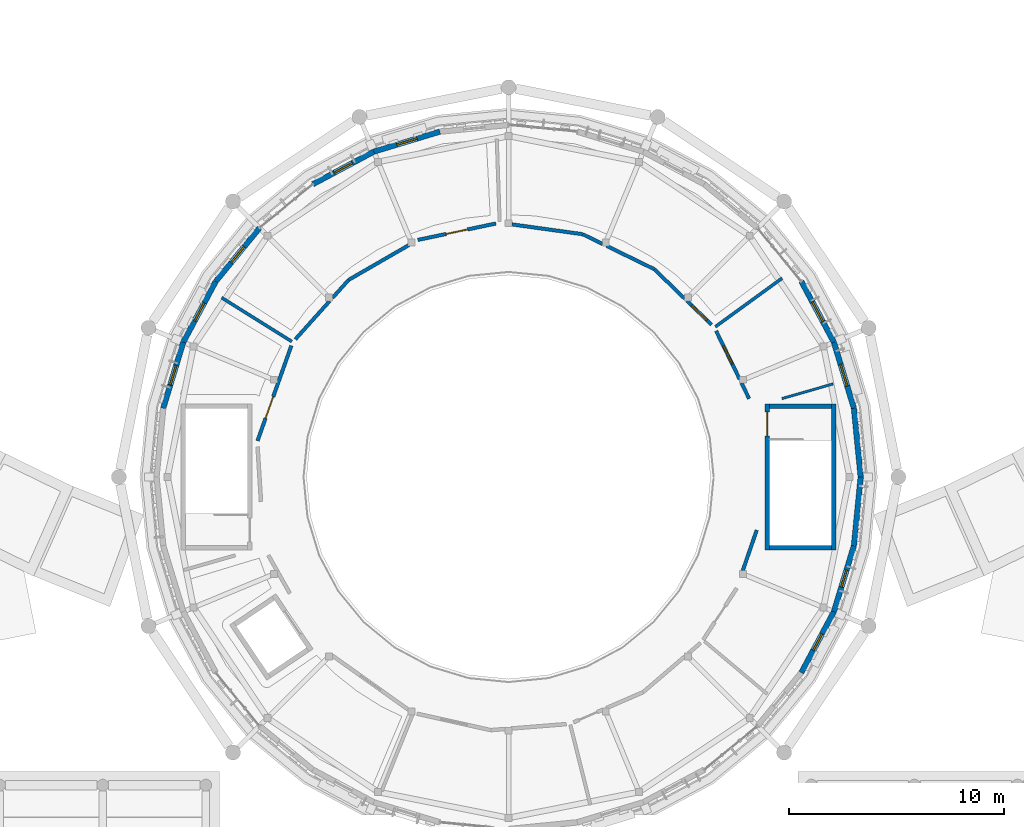
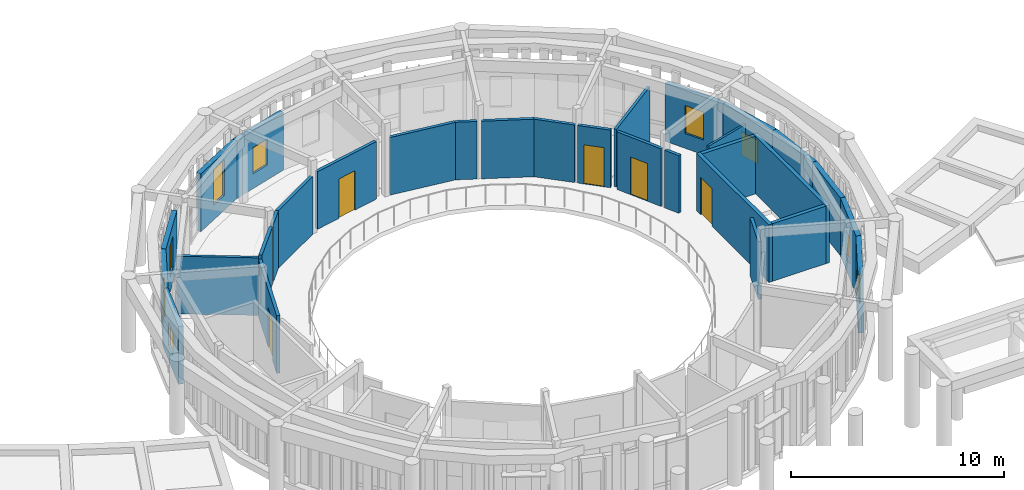
# One storey, part 48 of 80: 31 walls, 9 windows, 5 doors, 14 openings.
"""IFC4 building model written with IfcOpenShell, lengths in metres."""

from ifc_helpers import new_model, si_unit, direction, frame, frame_2d, origin, place, context, subcontext, project, spatial, rectangle, extrude, material, layer, layer_set, type_object, element, fill, save


model = new_model("IFC4")

# Units and contexts
model_context = context("Model", 3, precision=1e-05, world=origin(), true_north=direction((0.0, 1.0)))
body_context = subcontext(model_context, "Body", "Model", "MODEL_VIEW")
ifc_project = project(units=[si_unit("LENGTHUNIT", "METRE"), si_unit("AREAUNIT", "SQUARE_METRE"), si_unit("VOLUMEUNIT", "CUBIC_METRE"), si_unit("PLANEANGLEUNIT", "RADIAN"), si_unit("MASSUNIT", "GRAM", prefix="KILO")], contexts=[model_context])

# Site, building, storey
site_placement = place(None, origin())
site = spatial("IfcSite", under=ifc_project, at=site_placement, CompositionType="ELEMENT")
building_placement = place(site_placement, origin())
building = spatial("IfcBuilding", under=site, at=building_placement, Name="Aldenvaro Health Centre", CompositionType="ELEMENT")
storey_placement = place(building_placement, frame((0.0, 0.0, 4.550048828125)))
storey = spatial("IfcBuildingStorey", under=building, at=storey_placement, Name="L01", CompositionType="ELEMENT", Elevation=4.550048828125)

# Walls
ifc_material_1 = material(Name="Gypsum Stud Acoustic Assembly")
ifc_layer_1 = layer(ifc_material_1, 0.14501953125, Name="Gypsum Stud Acoustic Assembly")
ifc_layer_set_1 = layer_set([ifc_layer_1], Name="Gypsum Stud Acoustic Assembly")
wall_type_1 = type_object("IfcWallType", Name="WL-CLN-145", PredefinedType="PARTITIONING", material=ifc_layer_set_1)
wall_1_placement = place(storey_placement, frame((96.6298828125, 26.99609375, 0.0), z_axis=(0.0, 0.0, 1.0), x_axis=(0.808903444358, 0.587941508745, 0.0)))
element("IfcWall", 1, at=wall_1_placement, inside=storey, type_object=wall_type_1, Name="D1 L01 clinical partition 1.1", PredefinedType="PARTITIONING", context=body_context, shape_type="SweptSolid", body=[
    extrude(rectangle(XDim=3.84716796875, YDim=0.14501953125, at=frame_2d((1.923583984375, 0.0))), origin(), (0.0, 0.0, 1.0), 3.300048828125),
])
wall_2_placement = place(storey_placement, frame((76.906005859375, 26.30810546875, 0.0), z_axis=(0.0, 0.0, 1.0), x_axis=(-0.848090779094, 0.529850951132, 0.0)))
element("IfcWall", 2, at=wall_2_placement, inside=storey, type_object=wall_type_1, Name="D1 L01 clinical partition 3.1", PredefinedType="PARTITIONING", context=body_context, shape_type="SweptSolid", body=[
    extrude(rectangle(XDim=3.855712890625, YDim=0.14501953125, at=frame_2d((1.927734375, 0.0))), origin(), (0.0, 0.0, 1.0), 3.300048828125),
])

# Wall, opening, door
ifc_layer_2 = layer(ifc_material_1, 0.1650390625, Name="Gypsum Stud Acoustic Assembly")
ifc_layer_set_2 = layer_set([ifc_layer_2], Name="Gypsum Stud Acoustic Assembly")
wall_type_2 = type_object("IfcWallType", Name="WL-COR-165", PredefinedType="PARTITIONING", material=ifc_layer_set_2)
wall_3_placement = place(storey_placement, frame((96.4580078125, 27.089111328125, 0.0), z_axis=(0.0, 0.0, 1.0), x_axis=(-0.718302144199, 0.69573129126, 0.0)))
wall_3 = element("IfcWall", 3, at=wall_3_placement, inside=storey, type_object=wall_type_2, Name="D1 L01 corridor wall 01.1", PredefinedType="PARTITIONING", context=body_context, shape_type="SweptSolid", body=[
    extrude(rectangle(XDim=1.600830078125, YDim=0.1650390625, at=frame_2d((0.80029296875, 0.0))), origin(), (0.0, 0.0, 1.0), 3.300048828125),
])
opening_1_placement = place(wall_3_placement, frame((0.31103515625, 0.0, 0.0)))
opening_1 = element("IfcOpeningElement", 4, at=opening_1_placement, cuts=wall_3, Name="Opening D-10", PredefinedType="OPENING", context=body_context, shape_type="SweptSolid", body=[
    extrude(rectangle(XDim=0.97998046875, YDim=2.239990234375, at=frame_2d((0.489990234375, 1.1201171875))), frame((0.0, 0.092529296875, 0.0), z_axis=(0.0, -1.0, 0.0), x_axis=(1.0, 0.0, 0.0)), (0.0, 0.0, 1.0), 0.18505859375),
])
ifc_material_2 = material(Name="Tall Clinical Timber Door", Category="wood")
door_type_1 = type_object("IfcDoorType", Name="DR-CLN-10", OperationType="NOTDEFINED", PredefinedType="DOOR", material=ifc_material_2)
door_1_placement = place(opening_1_placement, origin())
door_1 = element("IfcDoor", 5, at=door_1_placement, inside=storey, type_object=door_type_1, Name="Preventive Health Education Classroom 01 Door", OperationType="SINGLE_SWING_LEFT", OverallHeight=2.239990234375, OverallWidth=0.97998046875, PredefinedType="DOOR", context=body_context, shape_type="SweptSolid", body=[
    extrude(rectangle(XDim=0.97998046875, YDim=2.239990234375, at=frame_2d((0.489990234375, 1.1201171875))), frame((0.0, 0.02490234375, 0.0), z_axis=(0.0, -1.0, 0.0), x_axis=(1.0, 0.0, 0.0)), (0.0, 0.0, 1.0), 0.050048828125),
])
fill(opening_1, door_1)

# Walls
wall_4_placement = place(storey_placement, frame((95.205078125, 28.302978515625, 0.0), z_axis=(0.0, 0.0, 1.0), x_axis=(-0.718155192795, 0.695882977994, 0.0)))
element("IfcWall", 6, at=wall_4_placement, inside=storey, type_object=wall_type_2, Name="D1 L01 corridor wall 01.2", PredefinedType="PARTITIONING", context=body_context, shape_type="SweptSolid", body=[
    extrude(rectangle(XDim=1.97314453125, YDim=0.1650390625, at=frame_2d((0.986572265625, 0.0))), origin(), (0.0, 0.0, 1.0), 3.300048828125),
])
wall_5_placement = place(storey_placement, frame((93.7880859375, 29.676025390625, 0.0), z_axis=(0.0, 0.0, 1.0), x_axis=(-0.898760866849, 0.438439168211, 0.0)))
element("IfcWall", 7, at=wall_5_placement, inside=storey, type_object=wall_type_2, Name="D1 L01 corridor wall 01.3", PredefinedType="PARTITIONING", context=body_context, shape_type="SweptSolid", body=[
    extrude(rectangle(XDim=2.476806640625, YDim=0.1650390625, at=frame_2d((1.23828125, 0.0))), origin(), (0.0, 0.0, 1.0), 3.300048828125),
])
wall_6_placement = place(storey_placement, frame((91.375, 30.85302734375, 0.0), z_axis=(0.0, 0.0, 1.0), x_axis=(-0.89849821067, 0.438977180982, 0.0)))
element("IfcWall", 8, at=wall_6_placement, inside=storey, type_object=wall_type_2, Name="D1 L01 corridor wall 01.4", PredefinedType="PARTITIONING", context=body_context, shape_type="SweptSolid", body=[
    extrude(rectangle(XDim=1.033935546875, YDim=0.1650390625, at=frame_2d((0.51708984375, 0.0))), origin(), (0.0, 0.0, 1.0), 3.300048828125),
])
wall_7_placement = place(storey_placement, frame((90.446044921875, 31.306884765625, 0.0), z_axis=(0.0, 0.0, 1.0), x_axis=(-0.990511159367, 0.137432322142, 0.0)))
element("IfcWall", 9, at=wall_7_placement, inside=storey, type_object=wall_type_2, Name="D1 L01 corridor wall 01.5", PredefinedType="PARTITIONING", context=body_context, shape_type="SweptSolid", body=[
    extrude(rectangle(XDim=3.325439453125, YDim=0.1650390625, at=frame_2d((1.66259765625, 0.0))), origin(), (0.0, 0.0, 1.0), 3.300048828125),
])

# Wall, opening, door
wall_8_placement = place(storey_placement, frame((86.412109375, 31.804931640625, 0.0), z_axis=(0.0, 0.0, 1.0), x_axis=(-0.978553268449, -0.20599393391, 0.0)))
wall_8 = element("IfcWall", 10, at=wall_8_placement, inside=storey, type_object=wall_type_2, Name="D1 L01 corridor wall 02.1", PredefinedType="PARTITIONING", context=body_context, shape_type="SweptSolid", body=[
    extrude(rectangle(XDim=3.718017578125, YDim=0.1650390625, at=frame_2d((1.85888671875, 0.0))), origin(), (0.0, 0.0, 1.0), 3.300048828125),
])
opening_2_placement = place(wall_8_placement, frame((1.34912109375, 0.0, 0.0)))
opening_2 = element("IfcOpeningElement", 11, at=opening_2_placement, cuts=wall_8, Name="Opening D-11", PredefinedType="OPENING", context=body_context, shape_type="SweptSolid", body=[
    extrude(rectangle(XDim=1.02001953125, YDim=2.260009765625, at=frame_2d((0.510009765625, 1.1298828125))), frame((0.0, 0.092529296875, 0.0), z_axis=(0.0, -1.0, 0.0), x_axis=(1.0, 0.0, 0.0)), (0.0, 0.0, 1.0), 0.18505859375),
])
door_type_2 = type_object("IfcDoorType", Name="DR-CLN-11", OperationType="NOTDEFINED", PredefinedType="DOOR", material=ifc_material_2)
door_2_placement = place(opening_2_placement, origin())
door_2 = element("IfcDoor", 12, at=door_2_placement, inside=storey, type_object=door_type_2, Name="Preventive Health Education Classroom 02 Door", OperationType="SINGLE_SWING_RIGHT", OverallHeight=2.260009765625, OverallWidth=1.02001953125, PredefinedType="DOOR", context=body_context, shape_type="SweptSolid", body=[
    extrude(rectangle(XDim=1.02001953125, YDim=2.260009765625, at=frame_2d((0.510009765625, 1.1298828125))), frame((0.0, 0.02490234375, 0.0), z_axis=(0.0, -1.0, 0.0), x_axis=(1.0, 0.0, 0.0)), (0.0, 0.0, 1.0), 0.050048828125),
])
fill(opening_2, door_2)

# Walls
wall_9_placement = place(storey_placement, frame((82.364990234375, 30.802978515625, 0.0), z_axis=(0.0, 0.0, 1.0), x_axis=(-0.865957694089, -0.500117258298, 0.0)))
element("IfcWall", 13, at=wall_9_placement, inside=storey, type_object=wall_type_2, Name="D1 L01 corridor wall 02.2", PredefinedType="PARTITIONING", context=body_context, shape_type="SweptSolid", body=[
    extrude(rectangle(XDim=3.247314453125, YDim=0.1650390625, at=frame_2d((1.62353515625, 0.0))), origin(), (0.0, 0.0, 1.0), 3.300048828125),
])
wall_10_placement = place(storey_placement, frame((79.552978515625, 29.178955078125, 0.0), z_axis=(0.0, 0.0, 1.0), x_axis=(-0.667761349915, -0.744375429175, 0.0)))
element("IfcWall", 14, at=wall_10_placement, inside=storey, type_object=wall_type_2, Name="D1 L01 corridor wall 02.3", PredefinedType="PARTITIONING", context=body_context, shape_type="SweptSolid", body=[
    extrude(rectangle(XDim=1.12158203125, YDim=0.1650390625, at=frame_2d((0.560791015625, 0.0))), origin(), (0.0, 0.0, 1.0), 3.300048828125),
])
wall_11_placement = place(storey_placement, frame((78.673095703125, 28.198974609375, 0.0), z_axis=(0.0, 0.0, 1.0), x_axis=(-0.667778288536, -0.744360233597, 0.0)))
element("IfcWall", 15, at=wall_11_placement, inside=storey, type_object=wall_type_2, Name="D1 L01 corridor wall 02.4", PredefinedType="PARTITIONING", context=body_context, shape_type="SweptSolid", body=[
    extrude(rectangle(XDim=2.400634765625, YDim=0.1650390625, at=frame_2d((1.2001953125, 0.0))), origin(), (0.0, 0.0, 1.0), 3.300048828125),
])

# Wall, opening, door
wall_12_placement = place(storey_placement, frame((76.884033203125, 26.114013671875, 0.0), z_axis=(0.0, 0.0, 1.0), x_axis=(-0.334996341217, -0.942219428462, 0.0)))
wall_12 = element("IfcWall", 16, at=wall_12_placement, inside=storey, type_object=wall_type_2, Name="D1 L01 corridor wall 03.1", PredefinedType="PARTITIONING", context=body_context, shape_type="SweptSolid", body=[
    extrude(rectangle(XDim=4.698486328125, YDim=0.1650390625, at=frame_2d((2.34912109375, 0.0))), origin(), (0.0, 0.0, 1.0), 3.300048828125),
])
opening_3_placement = place(wall_12_placement, frame((2.52392578125, 0.0, 0.0)))
opening_3 = element("IfcOpeningElement", 17, at=opening_3_placement, cuts=wall_12, Name="Opening D-12", PredefinedType="OPENING", context=body_context, shape_type="SweptSolid", body=[
    extrude(rectangle(XDim=1.06005859375, YDim=2.260009765625, at=frame_2d((0.530029296875, 1.1298828125))), frame((0.0, 0.092529296875, 0.0), z_axis=(0.0, -1.0, 0.0), x_axis=(1.0, 0.0, 0.0)), (0.0, 0.0, 1.0), 0.18505859375),
])
door_type_3 = type_object("IfcDoorType", Name="DR-CLN-12", OperationType="NOTDEFINED", PredefinedType="DOOR", material=ifc_material_2)
door_3_placement = place(opening_3_placement, origin())
door_3 = element("IfcDoor", 18, at=door_3_placement, inside=storey, type_object=door_type_3, Name="Maternal Wellness Seminar Room Door", OperationType="SINGLE_SWING_LEFT", OverallHeight=2.260009765625, OverallWidth=1.06005859375, PredefinedType="DOOR", context=body_context, shape_type="SweptSolid", body=[
    extrude(rectangle(XDim=1.06005859375, YDim=2.260009765625, at=frame_2d((0.530029296875, 1.1298828125))), frame((0.0, 0.02490234375, 0.0), z_axis=(0.0, -1.0, 0.0), x_axis=(1.0, 0.0, 0.0)), (0.0, 0.0, 1.0), 0.050048828125),
])
fill(opening_3, door_3)

# Walls
wall_13_placement = place(storey_placement, frame((97.906982421875, 15.638916015625, 0.0), z_axis=(0.0, 0.0, 1.0), x_axis=(0.326190447052, 0.945304073964, 0.0)))
element("IfcWall", 19, at=wall_13_placement, inside=storey, type_object=wall_type_2, Name="D1 L01 corridor wall 07.2", PredefinedType="PARTITIONING", context=body_context, shape_type="SweptSolid", body=[
    extrude(rectangle(XDim=1.99609375, YDim=0.1650390625, at=frame_2d((0.998046875, 0.0))), origin(), (0.0, 0.0, 1.0), 3.300048828125),
])
wall_14_placement = place(storey_placement, frame((98.202880859375, 23.64990234375, 0.0), z_axis=(0.0, 0.0, 1.0), x_axis=(-0.437525109064, 0.899206193784, 0.0)))
element("IfcWall", 20, at=wall_14_placement, inside=storey, type_object=wall_type_2, Name="D1 L01 corridor wall 08.1", PredefinedType="PARTITIONING", context=body_context, shape_type="SweptSolid", body=[
    extrude(rectangle(XDim=0.80859375, YDim=0.1650390625, at=frame_2d((0.404296875, 0.0))), origin(), (0.0, 0.0, 1.0), 3.300048828125),
])

# Wall, opening, door
wall_15_placement = place(storey_placement, frame((97.760986328125, 24.556884765625, 0.0), z_axis=(0.0, 0.0, 1.0), x_axis=(-0.438210134554, 0.898872559362, 0.0)))
wall_15 = element("IfcWall", 21, at=wall_15_placement, inside=storey, type_object=wall_type_2, Name="D1 L01 corridor wall 08.2", PredefinedType="PARTITIONING", context=body_context, shape_type="SweptSolid", body=[
    extrude(rectangle(XDim=2.5009765625, YDim=0.1650390625, at=frame_2d((1.25048828125, 0.0))), origin(), (0.0, 0.0, 1.0), 3.300048828125),
])
opening_4_placement = place(wall_15_placement, frame((0.77587890625, 0.0, 0.0)))
opening_4 = element("IfcOpeningElement", 22, at=opening_4_placement, cuts=wall_15, Name="Opening UD-02", PredefinedType="OPENING", context=body_context, shape_type="SweptSolid", body=[
    extrude(rectangle(XDim=0.949951171875, YDim=2.159912109375, at=frame_2d((0.47509765625, 1.080078125))), frame((0.0, 0.092529296875, 0.0), z_axis=(0.0, -1.0, 0.0), x_axis=(1.0, 0.0, 0.0)), (0.0, 0.0, 1.0), 0.18505859375),
])
ifc_material_3 = material(Name="Sterile Core Supply Door")
door_type_4 = type_object("IfcDoorType", Name="DR-STR-02", OperationType="NOTDEFINED", PredefinedType="DOOR", material=ifc_material_3)
door_4_placement = place(opening_4_placement, origin())
door_4 = element("IfcDoor", 23, at=door_4_placement, inside=storey, type_object=door_type_4, Name="AV Equipment Store Door", OperationType="SINGLE_SWING_RIGHT", OverallHeight=2.159912109375, OverallWidth=0.949951171875, PredefinedType="DOOR", context=body_context, shape_type="SweptSolid", body=[
    extrude(rectangle(XDim=0.949951171875, YDim=2.159912109375, at=frame_2d((0.47509765625, 1.080078125))), frame((0.0, 0.02490234375, 0.0), z_axis=(0.0, -1.0, 0.0), x_axis=(1.0, 0.0, 0.0)), (0.0, 0.0, 1.0), 0.050048828125),
])
fill(opening_4, door_4)

# Wall
ifc_material_4 = material(Name="Cross-laminated timber CLT E1", Category="wood")
ifc_layer_3 = layer(ifc_material_4, 0.2548828125, Name="Cross-laminated timber CLT E1", Category="wood")
ifc_layer_set_3 = layer_set([ifc_layer_3], Name="Cross-laminated timber CLT E1")
wall_type_3 = type_object("IfcWallType", Name="WL-EXT-255", PredefinedType="ELEMENTEDWALL", material=ifc_layer_set_3)
wall_16_placement = place(storey_placement, frame((103.39990234375, 20.0, 0.0), z_axis=(0.0, 0.0, 1.0), x_axis=(-0.097977057849, -0.995188673637, 0.0)))
element("IfcWall", 24, at=wall_16_placement, inside=storey, type_object=wall_type_3, Name="D1 L01 exterior wall 01", PredefinedType="ELEMENTEDWALL", context=body_context, shape_type="SweptSolid", body=[
    extrude(rectangle(XDim=3.21435546875, YDim=0.2548828125, at=frame_2d((1.607177734375, 0.0))), origin(), (0.0, 0.0, 1.0), 3.31396484375),
])

# Wall, opening, window
wall_17_placement = place(storey_placement, frame((103.0849609375, 16.801025390625, 0.0), z_axis=(0.0, 0.0, 1.0), x_axis=(-0.29014016356, -0.956984161567, 0.0)))
wall_17 = element("IfcWall", 25, at=wall_17_placement, inside=storey, type_object=wall_type_3, Name="D1 L01 exterior wall 02", PredefinedType="ELEMENTEDWALL", context=body_context, shape_type="SweptSolid", body=[
    extrude(rectangle(XDim=3.215087890625, YDim=0.2548828125, at=frame_2d((1.607421875, 0.0))), origin(), (0.0, 0.0, 1.0), 3.31396484375),
])
opening_5_placement = place(wall_17_placement, frame((1.197998046875, 0.0, 0.85009765625)))
opening_5 = element("IfcOpeningElement", 26, at=opening_5_placement, cuts=wall_17, Name="Opening W-01", PredefinedType="OPENING", context=body_context, shape_type="SweptSolid", body=[
    extrude(rectangle(XDim=0.820068359375, YDim=1.449951171875, at=frame_2d((0.41015625, 0.72509765625))), frame((0.0, 0.137451171875, 0.0), z_axis=(0.0, -1.0, 0.0), x_axis=(1.0, 0.0, 0.0)), (0.0, 0.0, 1.0), 0.27490234375),
])
ifc_material_5 = material(Name="Thermally Broken Aluminium Low-E Glass", Category="aluminium")
window_type_1 = type_object("IfcWindowType", Name="WN-EXT-01", PartitioningType="SINGLE_PANEL", PredefinedType="WINDOW", material=ifc_material_5)
window_1_placement = place(opening_5_placement, origin())
window_1 = element("IfcWindow", 27, at=window_1_placement, inside=storey, type_object=window_type_1, Name="D1 L01 clinical window 02", OverallHeight=1.449951171875, OverallWidth=0.820068359375, PartitioningType="SINGLE_PANEL", PredefinedType="WINDOW", context=body_context, shape_type="SweptSolid", body=[
    extrude(rectangle(XDim=0.820068359375, YDim=1.449951171875, at=frame_2d((0.41015625, 0.72509765625))), frame((0.0, 0.030029296875, 0.0), z_axis=(0.0, -1.0, 0.0), x_axis=(1.0, 0.0, 0.0)), (0.0, 0.0, 1.0), 0.06005859375),
])
fill(opening_5, window_1)

wall_18_placement = place(storey_placement, frame((102.152099609375, 13.72412109375, 0.0), z_axis=(0.0, 0.0, 1.0), x_axis=(-0.47155750426, -0.881835313523, 0.0)))
wall_18 = element("IfcWall", 28, at=wall_18_placement, inside=storey, type_object=wall_type_3, Name="D1 L01 exterior wall 03", PredefinedType="ELEMENTEDWALL", context=body_context, shape_type="SweptSolid", body=[
    extrude(rectangle(XDim=3.215087890625, YDim=0.2548828125, at=frame_2d((1.607421875, 0.0))), origin(), (0.0, 0.0, 1.0), 3.31396484375),
])
opening_6_placement = place(wall_18_placement, frame((1.181884765625, 0.0, 0.85009765625)))
opening_6 = element("IfcOpeningElement", 29, at=opening_6_placement, cuts=wall_18, Name="Opening W-02", PredefinedType="OPENING", context=body_context, shape_type="SweptSolid", body=[
    extrude(rectangle(XDim=0.85009765625, YDim=1.5, at=frame_2d((0.425048828125, 0.75))), frame((0.0, 0.137451171875, 0.0), z_axis=(0.0, -1.0, 0.0), x_axis=(1.0, 0.0, 0.0)), (0.0, 0.0, 1.0), 0.27490234375),
])
window_type_2 = type_object("IfcWindowType", Name="WN-EXT-02", PartitioningType="SINGLE_PANEL", PredefinedType="WINDOW", material=ifc_material_5)
window_2_placement = place(opening_6_placement, origin())
window_2 = element("IfcWindow", 30, at=window_2_placement, inside=storey, type_object=window_type_2, Name="D1 L01 clinical window 03", OverallHeight=1.5, OverallWidth=0.85009765625, PartitioningType="SINGLE_PANEL", PredefinedType="WINDOW", context=body_context, shape_type="SweptSolid", body=[
    extrude(rectangle(XDim=0.85009765625, YDim=1.5, at=frame_2d((0.425048828125, 0.75))), frame((0.0, 0.030029296875, 0.0), z_axis=(0.0, -1.0, 0.0), x_axis=(1.0, 0.0, 0.0)), (0.0, 0.0, 1.0), 0.06005859375),
])
fill(opening_6, window_2)

wall_19_placement = place(storey_placement, frame((70.9150390625, 23.198974609375, 0.0), z_axis=(0.0, 0.0, 1.0), x_axis=(0.29014016356, 0.956984161567, 0.0)))
wall_19 = element("IfcWall", 31, at=wall_19_placement, inside=storey, type_object=wall_type_3, Name="D1 L01 exterior wall 18", PredefinedType="ELEMENTEDWALL", context=body_context, shape_type="SweptSolid", body=[
    extrude(rectangle(XDim=3.215087890625, YDim=0.2548828125, at=frame_2d((1.607421875, 0.0))), origin(), (0.0, 0.0, 1.0), 3.31396484375),
])
opening_7_placement = place(wall_19_placement, frame((1.133056640625, 0.0, 0.85009765625)))
opening_7 = element("IfcOpeningElement", 32, at=opening_7_placement, cuts=wall_19, Name="Opening W-09", PredefinedType="OPENING", context=body_context, shape_type="SweptSolid", body=[
    extrude(rectangle(XDim=0.949951171875, YDim=1.35009765625, at=frame_2d((0.47509765625, 0.675048828125))), frame((0.0, 0.137451171875, 0.0), z_axis=(0.0, -1.0, 0.0), x_axis=(1.0, 0.0, 0.0)), (0.0, 0.0, 1.0), 0.27490234375),
])
window_type_3 = type_object("IfcWindowType", Name="WN-EXT-09", PartitioningType="SINGLE_PANEL", PredefinedType="WINDOW", material=ifc_material_5)
window_3_placement = place(opening_7_placement, origin())
window_3 = element("IfcWindow", 33, at=window_3_placement, inside=storey, type_object=window_type_3, Name="D1 L01 clinical window 18", OverallHeight=1.35009765625, OverallWidth=0.949951171875, PartitioningType="SINGLE_PANEL", PredefinedType="WINDOW", context=body_context, shape_type="SweptSolid", body=[
    extrude(rectangle(XDim=0.949951171875, YDim=1.35009765625, at=frame_2d((0.47509765625, 0.675048828125))), frame((0.0, 0.030029296875, 0.0), z_axis=(0.0, -1.0, 0.0), x_axis=(1.0, 0.0, 0.0)), (0.0, 0.0, 1.0), 0.06005859375),
])
fill(opening_7, window_3)

wall_20_placement = place(storey_placement, frame((71.847900390625, 26.27587890625, 0.0), z_axis=(0.0, 0.0, 1.0), x_axis=(0.47155750426, 0.881835313523, 0.0)))
wall_20 = element("IfcWall", 34, at=wall_20_placement, inside=storey, type_object=wall_type_3, Name="D1 L01 exterior wall 19", PredefinedType="ELEMENTEDWALL", context=body_context, shape_type="SweptSolid", body=[
    extrude(rectangle(XDim=3.215087890625, YDim=0.2548828125, at=frame_2d((1.607421875, 0.0))), origin(), (0.0, 0.0, 1.0), 3.31396484375),
])
opening_8_placement = place(wall_20_placement, frame((1.132080078125, 0.0, 0.85009765625)))
opening_8 = element("IfcOpeningElement", 35, at=opening_8_placement, cuts=wall_20, Name="Opening W-10", PredefinedType="OPENING", context=body_context, shape_type="SweptSolid", body=[
    extrude(rectangle(XDim=0.949951171875, YDim=1.60009765625, at=frame_2d((0.47509765625, 0.800048828125))), frame((0.0, 0.137451171875, 0.0), z_axis=(0.0, -1.0, 0.0), x_axis=(1.0, 0.0, 0.0)), (0.0, 0.0, 1.0), 0.27490234375),
])
window_type_4 = type_object("IfcWindowType", Name="WN-EXT-10", PartitioningType="SINGLE_PANEL", PredefinedType="WINDOW", material=ifc_material_5)
window_4_placement = place(opening_8_placement, origin())
window_4 = element("IfcWindow", 36, at=window_4_placement, inside=storey, type_object=window_type_4, Name="D1 L01 clinical window 19", OverallHeight=1.60009765625, OverallWidth=0.949951171875, PartitioningType="SINGLE_PANEL", PredefinedType="WINDOW", context=body_context, shape_type="SweptSolid", body=[
    extrude(rectangle(XDim=0.949951171875, YDim=1.60009765625, at=frame_2d((0.47509765625, 0.800048828125))), frame((0.0, 0.030029296875, 0.0), z_axis=(0.0, -1.0, 0.0), x_axis=(1.0, 0.0, 0.0)), (0.0, 0.0, 1.0), 0.06005859375),
])
fill(opening_8, window_4)

wall_21_placement = place(storey_placement, frame((73.364013671875, 29.111083984375, 0.0), z_axis=(0.0, 0.0, 1.0), x_axis=(0.634204896314, 0.773165020866, 0.0)))
wall_21 = element("IfcWall", 37, at=wall_21_placement, inside=storey, type_object=wall_type_3, Name="D1 L01 exterior wall 20", PredefinedType="ELEMENTEDWALL", context=body_context, shape_type="SweptSolid", body=[
    extrude(rectangle(XDim=3.215087890625, YDim=0.2548828125, at=frame_2d((1.607421875, 0.0))), origin(), (0.0, 0.0, 1.0), 3.31396484375),
])
opening_9_placement = place(wall_21_placement, frame((1.133056640625, 0.0, 0.85009765625)))
opening_9 = element("IfcOpeningElement", 38, at=opening_9_placement, cuts=wall_21, Name="Opening W-11", PredefinedType="OPENING", context=body_context, shape_type="SweptSolid", body=[
    extrude(rectangle(XDim=0.949951171875, YDim=1.800048828125, at=frame_2d((0.47509765625, 0.89990234375))), frame((0.0, 0.137451171875, 0.0), z_axis=(0.0, -1.0, 0.0), x_axis=(1.0, 0.0, 0.0)), (0.0, 0.0, 1.0), 0.27490234375),
])
window_type_5 = type_object("IfcWindowType", Name="WN-EXT-11", PartitioningType="SINGLE_PANEL", PredefinedType="WINDOW", material=ifc_material_5)
window_5_placement = place(opening_9_placement, origin())
window_5 = element("IfcWindow", 39, at=window_5_placement, inside=storey, type_object=window_type_5, Name="D1 L01 clinical window 20", OverallHeight=1.800048828125, OverallWidth=0.949951171875, PartitioningType="SINGLE_PANEL", PredefinedType="WINDOW", context=body_context, shape_type="SweptSolid", body=[
    extrude(rectangle(XDim=0.949951171875, YDim=1.800048828125, at=frame_2d((0.47509765625, 0.89990234375))), frame((0.0, 0.030029296875, 0.0), z_axis=(0.0, -1.0, 0.0), x_axis=(1.0, 0.0, 0.0)), (0.0, 0.0, 1.0), 0.06005859375),
])
fill(opening_9, window_5)

wall_22_placement = place(storey_placement, frame((77.888916015625, 33.635986328125, 0.0), z_axis=(0.0, 0.0, 1.0), x_axis=(0.881835313523, 0.47155750426, 0.0)))
wall_22 = element("IfcWall", 40, at=wall_22_placement, inside=storey, type_object=wall_type_3, Name="D1 L01 exterior wall 22", PredefinedType="ELEMENTEDWALL", context=body_context, shape_type="SweptSolid", body=[
    extrude(rectangle(XDim=3.215087890625, YDim=0.2548828125, at=frame_2d((1.607421875, 0.0))), origin(), (0.0, 0.0, 1.0), 3.31396484375),
])
opening_10_placement = place(wall_22_placement, frame((1.132080078125, 0.0, 0.85009765625)))
opening_10 = element("IfcOpeningElement", 41, at=opening_10_placement, cuts=wall_22, Name="Opening W-12", PredefinedType="OPENING", context=body_context, shape_type="SweptSolid", body=[
    extrude(rectangle(XDim=0.949951171875, YDim=2.050048828125, at=frame_2d((0.47509765625, 1.02490234375))), frame((0.0, 0.137451171875, 0.0), z_axis=(0.0, -1.0, 0.0), x_axis=(1.0, 0.0, 0.0)), (0.0, 0.0, 1.0), 0.27490234375),
])
window_type_6 = type_object("IfcWindowType", Name="WN-EXT-12", PartitioningType="SINGLE_PANEL", PredefinedType="WINDOW", material=ifc_material_5)
window_6_placement = place(opening_10_placement, origin())
window_6 = element("IfcWindow", 42, at=window_6_placement, inside=storey, type_object=window_type_6, Name="D1 L01 clinical window 22", OverallHeight=2.050048828125, OverallWidth=0.949951171875, PartitioningType="SINGLE_PANEL", PredefinedType="WINDOW", context=body_context, shape_type="SweptSolid", body=[
    extrude(rectangle(XDim=0.949951171875, YDim=2.050048828125, at=frame_2d((0.47509765625, 1.02490234375))), frame((0.0, 0.030029296875, 0.0), z_axis=(0.0, -1.0, 0.0), x_axis=(1.0, 0.0, 0.0)), (0.0, 0.0, 1.0), 0.06005859375),
])
fill(opening_10, window_6)

wall_23_placement = place(storey_placement, frame((80.72412109375, 35.152099609375, 0.0), z_axis=(0.0, 0.0, 1.0), x_axis=(0.956984161567, 0.29014016356, 0.0)))
wall_23 = element("IfcWall", 43, at=wall_23_placement, inside=storey, type_object=wall_type_3, Name="D1 L01 exterior wall 23", PredefinedType="ELEMENTEDWALL", context=body_context, shape_type="SweptSolid", body=[
    extrude(rectangle(XDim=3.215087890625, YDim=0.2548828125, at=frame_2d((1.607421875, 0.0))), origin(), (0.0, 0.0, 1.0), 3.31396484375),
])
opening_11_placement = place(wall_23_placement, frame((1.117919921875, 0.0, 0.85009765625)))
opening_11 = element("IfcOpeningElement", 44, at=opening_11_placement, cuts=wall_23, Name="Opening W-13", PredefinedType="OPENING", context=body_context, shape_type="SweptSolid", body=[
    extrude(rectangle(XDim=0.97998046875, YDim=1.5, at=frame_2d((0.489990234375, 0.75))), frame((0.0, 0.137451171875, 0.0), z_axis=(0.0, -1.0, 0.0), x_axis=(1.0, 0.0, 0.0)), (0.0, 0.0, 1.0), 0.27490234375),
])
window_type_7 = type_object("IfcWindowType", Name="WN-EXT-13", PartitioningType="SINGLE_PANEL", PredefinedType="WINDOW", material=ifc_material_5)
window_7_placement = place(opening_11_placement, origin())
window_7 = element("IfcWindow", 45, at=window_7_placement, inside=storey, type_object=window_type_7, Name="D1 L01 clinical window 23", OverallHeight=1.5, OverallWidth=0.97998046875, PartitioningType="SINGLE_PANEL", PredefinedType="WINDOW", context=body_context, shape_type="SweptSolid", body=[
    extrude(rectangle(XDim=0.97998046875, YDim=1.5, at=frame_2d((0.489990234375, 0.75))), frame((0.0, 0.030029296875, 0.0), z_axis=(0.0, -1.0, 0.0), x_axis=(1.0, 0.0, 0.0)), (0.0, 0.0, 1.0), 0.06005859375),
])
fill(opening_11, window_7)

wall_24_placement = place(storey_placement, frame((100.635986328125, 29.111083984375, 0.0), z_axis=(0.0, 0.0, 1.0), x_axis=(0.47155750426, -0.881835313523, 0.0)))
wall_24 = element("IfcWall", 46, at=wall_24_placement, inside=storey, type_object=wall_type_3, Name="D1 L01 exterior wall 30", PredefinedType="ELEMENTEDWALL", context=body_context, shape_type="SweptSolid", body=[
    extrude(rectangle(XDim=3.215087890625, YDim=0.2548828125, at=frame_2d((1.607421875, 0.0))), origin(), (0.0, 0.0, 1.0), 3.31396484375),
])
opening_12_placement = place(wall_24_placement, frame((1.096923828125, 0.0, 0.85009765625)))
opening_12 = element("IfcOpeningElement", 47, at=opening_12_placement, cuts=wall_24, Name="Opening W-18", PredefinedType="OPENING", context=body_context, shape_type="SweptSolid", body=[
    extrude(rectangle(XDim=1.02001953125, YDim=1.60009765625, at=frame_2d((0.510009765625, 0.800048828125))), frame((0.0, 0.137451171875, 0.0), z_axis=(0.0, -1.0, 0.0), x_axis=(1.0, 0.0, 0.0)), (0.0, 0.0, 1.0), 0.27490234375),
])
window_type_8 = type_object("IfcWindowType", Name="WN-EXT-18", PartitioningType="SINGLE_PANEL", PredefinedType="WINDOW", material=ifc_material_5)
window_8_placement = place(opening_12_placement, origin())
window_8 = element("IfcWindow", 48, at=window_8_placement, inside=storey, type_object=window_type_8, Name="D1 L01 clinical window 30", OverallHeight=1.60009765625, OverallWidth=1.02001953125, PartitioningType="SINGLE_PANEL", PredefinedType="WINDOW", context=body_context, shape_type="SweptSolid", body=[
    extrude(rectangle(XDim=1.02001953125, YDim=1.60009765625, at=frame_2d((0.510009765625, 0.800048828125))), frame((0.0, 0.030029296875, 0.0), z_axis=(0.0, -1.0, 0.0), x_axis=(1.0, 0.0, 0.0)), (0.0, 0.0, 1.0), 0.06005859375),
])
fill(opening_12, window_8)

wall_25_placement = place(storey_placement, frame((102.152099609375, 26.27587890625, 0.0), z_axis=(0.0, 0.0, 1.0), x_axis=(0.29014016356, -0.956984161567, 0.0)))
wall_25 = element("IfcWall", 49, at=wall_25_placement, inside=storey, type_object=wall_type_3, Name="D1 L01 exterior wall 31", PredefinedType="ELEMENTEDWALL", context=body_context, shape_type="SweptSolid", body=[
    extrude(rectangle(XDim=3.215087890625, YDim=0.2548828125, at=frame_2d((1.607421875, 0.0))), origin(), (0.0, 0.0, 1.0), 3.31396484375),
])
opening_13_placement = place(wall_25_placement, frame((1.0830078125, 0.0, 0.85009765625)))
opening_13 = element("IfcOpeningElement", 50, at=opening_13_placement, cuts=wall_25, Name="Opening W-19", PredefinedType="OPENING", context=body_context, shape_type="SweptSolid", body=[
    extrude(rectangle(XDim=1.050048828125, YDim=1.35009765625, at=frame_2d((0.52490234375, 0.675048828125))), frame((0.0, 0.137451171875, 0.0), z_axis=(0.0, -1.0, 0.0), x_axis=(1.0, 0.0, 0.0)), (0.0, 0.0, 1.0), 0.27490234375),
])
window_type_9 = type_object("IfcWindowType", Name="WN-EXT-19", PartitioningType="SINGLE_PANEL", PredefinedType="WINDOW", material=ifc_material_5)
window_9_placement = place(opening_13_placement, origin())
window_9 = element("IfcWindow", 51, at=window_9_placement, inside=storey, type_object=window_type_9, Name="D1 L01 clinical window 31", OverallHeight=1.35009765625, OverallWidth=1.050048828125, PartitioningType="SINGLE_PANEL", PredefinedType="WINDOW", context=body_context, shape_type="SweptSolid", body=[
    extrude(rectangle(XDim=1.050048828125, YDim=1.35009765625, at=frame_2d((0.52490234375, 0.675048828125))), frame((0.0, 0.030029296875, 0.0), z_axis=(0.0, -1.0, 0.0), x_axis=(1.0, 0.0, 0.0)), (0.0, 0.0, 1.0), 0.06005859375),
])
fill(opening_13, window_9)

# Wall
wall_26_placement = place(storey_placement, frame((103.0849609375, 23.198974609375, 0.0), z_axis=(0.0, 0.0, 1.0), x_axis=(0.097977057849, -0.995188673637, 0.0)))
element("IfcWall", 52, at=wall_26_placement, inside=storey, type_object=wall_type_3, Name="D1 L01 exterior wall 32", PredefinedType="ELEMENTEDWALL", context=body_context, shape_type="SweptSolid", body=[
    extrude(rectangle(XDim=3.21435546875, YDim=0.2548828125, at=frame_2d((1.607177734375, 0.0))), origin(), (0.0, 0.0, 1.0), 3.31396484375),
])

# Wall, opening, door
ifc_material_6 = material(Name="Concrete f'c 40 MPa", Category="concrete")
ifc_layer_4 = layer(ifc_material_6, 0.199951171875, Name="Concrete f'c 40 MPa", Category="concrete")
ifc_layer_set_4 = layer_set([ifc_layer_4], Name="Concrete f'c 40 MPa")
wall_type_4 = type_object("IfcWallType", Name="WL-SHAFT-200", PredefinedType="SHEAR", material=ifc_layer_set_4)
wall_27_placement = place(storey_placement, frame((99.050048828125, 23.39990234375, 0.0), z_axis=(0.0, 0.0, 1.0), x_axis=(0.0, -1.0, 0.0)))
wall_27 = element("IfcWall", 53, at=wall_27_placement, inside=storey, type_object=wall_type_4, Name="ST-02 L01 inner core wall", PredefinedType="SHEAR", context=body_context, shape_type="SweptSolid", body=[
    extrude(rectangle(XDim=6.7998046875, YDim=0.199951171875, at=frame_2d((3.39990234375, 0.0))), origin(), (0.0, 0.0, 1.0), 3.300048828125),
])
opening_14_placement = place(wall_27_placement, frame((0.3798828125, 0.0, 0.0)))
opening_14 = element("IfcOpeningElement", 54, at=opening_14_placement, cuts=wall_27, Name="Opening FD-01", PredefinedType="OPENING", context=body_context, shape_type="SweptSolid", body=[
    extrude(rectangle(XDim=1.10009765625, YDim=2.14990234375, at=frame_2d((0.550048828125, 1.074951171875))), frame((0.0, 0.10986328125, 0.0), z_axis=(0.0, -1.0, 0.0), x_axis=(1.0, 0.0, 0.0)), (0.0, 0.0, 1.0), 0.219970703125),
])
ifc_material_7 = material(Name="Fire-Rated Steel Door Assembly", Category="steel")
door_type_5 = type_object("IfcDoorType", Name="DR-STAIR-110", OperationType="NOTDEFINED", PredefinedType="DOOR", material=ifc_material_7)
door_5_placement = place(opening_14_placement, origin())
door_5 = element("IfcDoor", 55, at=door_5_placement, inside=storey, type_object=door_type_5, Name="ST-02 L01 fire stair door", OperationType="SINGLE_SWING_RIGHT", OverallHeight=2.14990234375, OverallWidth=1.10009765625, PredefinedType="DOOR", context=body_context, shape_type="SweptSolid", body=[
    extrude(rectangle(XDim=1.10009765625, YDim=2.14990234375, at=frame_2d((0.550048828125, 1.074951171875))), frame((0.0, 0.02490234375, 0.0), z_axis=(0.0, -1.0, 0.0), x_axis=(1.0, 0.0, 0.0)), (0.0, 0.0, 1.0), 0.050048828125),
])
fill(opening_14, door_5)

# Walls
wall_28_placement = place(storey_placement, frame((102.14990234375, 23.39990234375, 0.0), z_axis=(0.0, 0.0, 1.0), x_axis=(0.0, -1.0, 0.0)))
element("IfcWall", 56, at=wall_28_placement, inside=storey, type_object=wall_type_4, Name="ST-02 L01 core wall OUT", PredefinedType="SHEAR", context=body_context, shape_type="SweptSolid", body=[
    extrude(rectangle(XDim=6.7998046875, YDim=0.199951171875, at=frame_2d((3.39990234375, 0.0))), origin(), (0.0, 0.0, 1.0), 3.300048828125),
])
for number, where, z_axis, x_axis, name in (
    (57, (99.14990234375, 23.300048828125, 0.0), (0.0, 0.0, 1.0), (1.0, 0.0, 0.0), "ST-02 L01 core wall L"),
    (58, (99.14990234375, 16.699951171875, 0.0), (0.0, 0.0, 1.0), (1.0, 0.0, 0.0), "ST-02 L01 core wall R"),
):
    element("IfcWall", number, at=place(storey_placement, frame(where, z_axis=z_axis, x_axis=x_axis)), inside=storey, type_object=wall_type_4, Name=name, PredefinedType="SHEAR", context=body_context, shape_type="SweptSolid", body=[
        extrude(rectangle(XDim=2.900146484375, YDim=0.199951171875, at=frame_2d((1.4501953125, 0.0))), origin(), (0.0, 0.0, 1.0), 3.300048828125),
    ])
ifc_material_8 = material(Name="Light Gauge Steel Stud Partition", Category="steel")
ifc_layer_5 = layer(ifc_material_8, 0.114990234375, Name="Light Gauge Steel Stud Partition", Category="steel")
ifc_layer_set_5 = layer_set([ifc_layer_5], Name="Light Gauge Steel Stud Partition")
wall_type_5 = type_object("IfcWallType", Name="WL-SUB-115", PredefinedType="PARTITIONING", material=ifc_layer_set_5)
wall_29_placement = place(storey_placement, frame((99.72900390625, 23.64990234375, 0.0), z_axis=(0.0, 0.0, 1.0), x_axis=(0.96127114667, 0.275604395065, 0.0)))
element("IfcWall", 59, at=wall_29_placement, inside=storey, type_object=wall_type_5, Name="D1 L01 clinical partition 8.1", PredefinedType="PARTITIONING", context=body_context, shape_type="SweptSolid", body=[
    extrude(rectangle(XDim=2.482177734375, YDim=0.114990234375, at=frame_2d((1.2412109375, 0.0))), origin(), (0.0, 0.0, 1.0), 3.300048828125),
])

save(model, "model.ifc")
